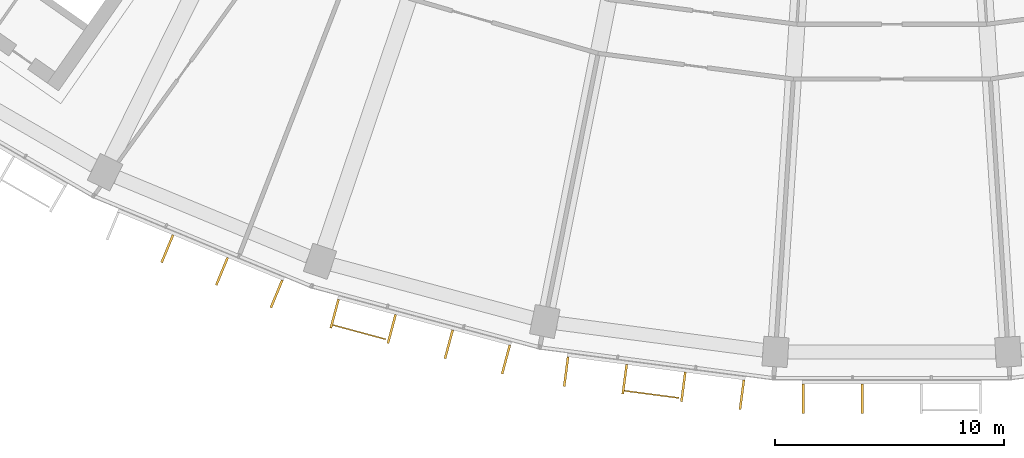
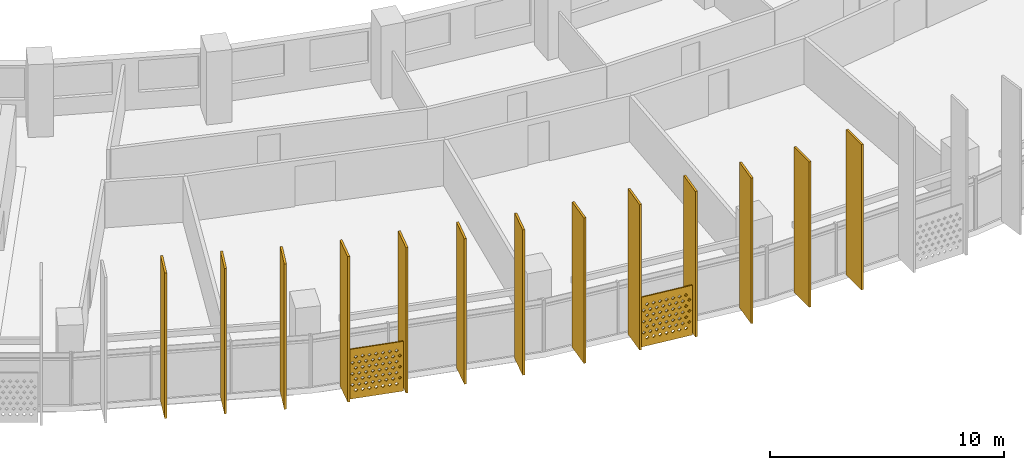
# One storey, part 23 of 27: 15 shading devices.
"""IFC4 building model written with IfcOpenShell, lengths in metres."""

from ifc_helpers import new_model, si_unit, direction, frame, origin, origin_2d, place, context, subcontext, project, spatial, polyline, rectangle, outline, extrude, material, material_profile, profile_set, type_object, element, save


model = new_model("IFC4")

# Units and contexts
model_context = context("Model", 3, precision=1e-05, world=origin(), true_north=direction((0.0, 1.0)))
body_context = subcontext(model_context, "Body", "Model", "MODEL_VIEW")
ifc_project = project(units=[si_unit("LENGTHUNIT", "METRE"), si_unit("AREAUNIT", "SQUARE_METRE"), si_unit("VOLUMEUNIT", "CUBIC_METRE"), si_unit("PLANEANGLEUNIT", "RADIAN"), si_unit("MASSUNIT", "GRAM", prefix="KILO")], contexts=[model_context])

# Site, building, storey
site_placement = place(None, origin())
site = spatial("IfcSite", under=ifc_project, at=site_placement, CompositionType="ELEMENT")
building_placement = place(site_placement, origin())
building = spatial("IfcBuilding", under=site, at=building_placement, Name="Qamariyya Broadcast Tower", CompositionType="ELEMENT")
storey_placement = place(building_placement, frame((0.0, 0.0, 164.5)))
storey = spatial("IfcBuildingStorey", under=building, at=storey_placement, Name="L38", CompositionType="ELEMENT", Elevation=164.5)

# Shading devices
ifc_material_1 = material(Name="Perforated glazed terracotta", Category="masonry")
ifc_material_profile_1 = material_profile(ifc_material_1, outline(polyline([(-1.199951171875, -1.300048828125), (1.199951171875, -1.300048828125), (1.199951171875, 1.300048828125), (-1.199951171875, 1.300048828125), (-1.199951171875, -1.300048828125)]), holes=[polyline([(-0.81494140625, -0.86669921875), (-0.89990234375, -0.78173828125), (-0.985107421875, -0.86669921875), (-0.89990234375, -0.95166015625), (-0.81494140625, -0.86669921875)]), polyline([(-0.514892578125, -0.86669921875), (-0.60009765625, -0.78173828125), (-0.68505859375, -0.86669921875), (-0.60009765625, -0.95166015625), (-0.514892578125, -0.86669921875)]), polyline([(-0.215087890625, -0.86669921875), (-0.300048828125, -0.78173828125), (-0.385009765625, -0.86669921875), (-0.300048828125, -0.95166015625), (-0.215087890625, -0.86669921875)]), polyline([(0.0849609375, -0.86669921875), (0.0, -0.78173828125), (-0.0849609375, -0.86669921875), (0.0, -0.95166015625), (0.0849609375, -0.86669921875)]), polyline([(0.385009765625, -0.86669921875), (0.300048828125, -0.78173828125), (0.215087890625, -0.86669921875), (0.300048828125, -0.95166015625), (0.385009765625, -0.86669921875)]), polyline([(0.68505859375, -0.86669921875), (0.60009765625, -0.78173828125), (0.514892578125, -0.86669921875), (0.60009765625, -0.95166015625), (0.68505859375, -0.86669921875)]), polyline([(0.985107421875, -0.86669921875), (0.89990234375, -0.78173828125), (0.81494140625, -0.86669921875), (0.89990234375, -0.95166015625), (0.985107421875, -0.86669921875)]), polyline([(-0.965087890625, -0.577880859375), (-1.050048828125, -0.49267578125), (-1.135009765625, -0.577880859375), (-1.050048828125, -0.662841796875), (-0.965087890625, -0.577880859375)]), polyline([(-0.6650390625, -0.577880859375), (-0.75, -0.49267578125), (-0.8349609375, -0.577880859375), (-0.75, -0.662841796875), (-0.6650390625, -0.577880859375)]), polyline([(-0.364990234375, -0.577880859375), (-0.449951171875, -0.49267578125), (-0.534912109375, -0.577880859375), (-0.449951171875, -0.662841796875), (-0.364990234375, -0.577880859375)]), polyline([(-0.06494140625, -0.577880859375), (-0.14990234375, -0.49267578125), (-0.235107421875, -0.577880859375), (-0.14990234375, -0.662841796875), (-0.06494140625, -0.577880859375)]), polyline([(0.235107421875, -0.577880859375), (0.14990234375, -0.49267578125), (0.06494140625, -0.577880859375), (0.14990234375, -0.662841796875), (0.235107421875, -0.577880859375)]), polyline([(0.534912109375, -0.577880859375), (0.449951171875, -0.49267578125), (0.364990234375, -0.577880859375), (0.449951171875, -0.662841796875), (0.534912109375, -0.577880859375)]), polyline([(0.8349609375, -0.577880859375), (0.75, -0.49267578125), (0.6650390625, -0.577880859375), (0.75, -0.662841796875), (0.8349609375, -0.577880859375)]), polyline([(1.135009765625, -0.577880859375), (1.050048828125, -0.49267578125), (0.965087890625, -0.577880859375), (1.050048828125, -0.662841796875), (1.135009765625, -0.577880859375)]), polyline([(-0.81494140625, -0.288818359375), (-0.89990234375, -0.203857421875), (-0.985107421875, -0.288818359375), (-0.89990234375, -0.373779296875), (-0.81494140625, -0.288818359375)]), polyline([(-0.514892578125, -0.288818359375), (-0.60009765625, -0.203857421875), (-0.68505859375, -0.288818359375), (-0.60009765625, -0.373779296875), (-0.514892578125, -0.288818359375)]), polyline([(-0.215087890625, -0.288818359375), (-0.300048828125, -0.203857421875), (-0.385009765625, -0.288818359375), (-0.300048828125, -0.373779296875), (-0.215087890625, -0.288818359375)]), polyline([(0.0849609375, -0.288818359375), (0.0, -0.203857421875), (-0.0849609375, -0.288818359375), (0.0, -0.373779296875), (0.0849609375, -0.288818359375)]), polyline([(0.385009765625, -0.288818359375), (0.300048828125, -0.203857421875), (0.215087890625, -0.288818359375), (0.300048828125, -0.373779296875), (0.385009765625, -0.288818359375)]), polyline([(0.68505859375, -0.288818359375), (0.60009765625, -0.203857421875), (0.514892578125, -0.288818359375), (0.60009765625, -0.373779296875), (0.68505859375, -0.288818359375)]), polyline([(0.985107421875, -0.288818359375), (0.89990234375, -0.203857421875), (0.81494140625, -0.288818359375), (0.89990234375, -0.373779296875), (0.985107421875, -0.288818359375)]), polyline([(-0.965087890625, 0.0), (-1.050048828125, 0.0849609375), (-1.135009765625, 0.0), (-1.050048828125, -0.0849609375), (-0.965087890625, 0.0)]), polyline([(-0.6650390625, 0.0), (-0.75, 0.0849609375), (-0.8349609375, 0.0), (-0.75, -0.0849609375), (-0.6650390625, 0.0)]), polyline([(-0.364990234375, 0.0), (-0.449951171875, 0.0849609375), (-0.534912109375, 0.0), (-0.449951171875, -0.0849609375), (-0.364990234375, 0.0)]), polyline([(-0.06494140625, 0.0), (-0.14990234375, 0.0849609375), (-0.235107421875, 0.0), (-0.14990234375, -0.0849609375), (-0.06494140625, 0.0)]), polyline([(0.235107421875, 0.0), (0.14990234375, 0.0849609375), (0.06494140625, 0.0), (0.14990234375, -0.0849609375), (0.235107421875, 0.0)]), polyline([(0.534912109375, 0.0), (0.449951171875, 0.0849609375), (0.364990234375, 0.0), (0.449951171875, -0.0849609375), (0.534912109375, 0.0)]), polyline([(0.8349609375, 0.0), (0.75, 0.0849609375), (0.6650390625, 0.0), (0.75, -0.0849609375), (0.8349609375, 0.0)]), polyline([(1.135009765625, 0.0), (1.050048828125, 0.0849609375), (0.965087890625, 0.0), (1.050048828125, -0.0849609375), (1.135009765625, 0.0)]), polyline([(-0.81494140625, 0.288818359375), (-0.89990234375, 0.373779296875), (-0.985107421875, 0.288818359375), (-0.89990234375, 0.203857421875), (-0.81494140625, 0.288818359375)]), polyline([(-0.514892578125, 0.288818359375), (-0.60009765625, 0.373779296875), (-0.68505859375, 0.288818359375), (-0.60009765625, 0.203857421875), (-0.514892578125, 0.288818359375)]), polyline([(-0.215087890625, 0.288818359375), (-0.300048828125, 0.373779296875), (-0.385009765625, 0.288818359375), (-0.300048828125, 0.203857421875), (-0.215087890625, 0.288818359375)]), polyline([(0.0849609375, 0.288818359375), (0.0, 0.373779296875), (-0.0849609375, 0.288818359375), (0.0, 0.203857421875), (0.0849609375, 0.288818359375)]), polyline([(0.385009765625, 0.288818359375), (0.300048828125, 0.373779296875), (0.215087890625, 0.288818359375), (0.300048828125, 0.203857421875), (0.385009765625, 0.288818359375)]), polyline([(0.68505859375, 0.288818359375), (0.60009765625, 0.373779296875), (0.514892578125, 0.288818359375), (0.60009765625, 0.203857421875), (0.68505859375, 0.288818359375)]), polyline([(0.985107421875, 0.288818359375), (0.89990234375, 0.373779296875), (0.81494140625, 0.288818359375), (0.89990234375, 0.203857421875), (0.985107421875, 0.288818359375)]), polyline([(-0.965087890625, 0.577880859375), (-1.050048828125, 0.662841796875), (-1.135009765625, 0.577880859375), (-1.050048828125, 0.49267578125), (-0.965087890625, 0.577880859375)]), polyline([(-0.6650390625, 0.577880859375), (-0.75, 0.662841796875), (-0.8349609375, 0.577880859375), (-0.75, 0.49267578125), (-0.6650390625, 0.577880859375)]), polyline([(-0.364990234375, 0.577880859375), (-0.449951171875, 0.662841796875), (-0.534912109375, 0.577880859375), (-0.449951171875, 0.49267578125), (-0.364990234375, 0.577880859375)]), polyline([(-0.06494140625, 0.577880859375), (-0.14990234375, 0.662841796875), (-0.235107421875, 0.577880859375), (-0.14990234375, 0.49267578125), (-0.06494140625, 0.577880859375)]), polyline([(0.235107421875, 0.577880859375), (0.14990234375, 0.662841796875), (0.06494140625, 0.577880859375), (0.14990234375, 0.49267578125), (0.235107421875, 0.577880859375)]), polyline([(0.534912109375, 0.577880859375), (0.449951171875, 0.662841796875), (0.364990234375, 0.577880859375), (0.449951171875, 0.49267578125), (0.534912109375, 0.577880859375)]), polyline([(0.8349609375, 0.577880859375), (0.75, 0.662841796875), (0.6650390625, 0.577880859375), (0.75, 0.49267578125), (0.8349609375, 0.577880859375)]), polyline([(1.135009765625, 0.577880859375), (1.050048828125, 0.662841796875), (0.965087890625, 0.577880859375), (1.050048828125, 0.49267578125), (1.135009765625, 0.577880859375)]), polyline([(-0.81494140625, 0.86669921875), (-0.89990234375, 0.95166015625), (-0.985107421875, 0.86669921875), (-0.89990234375, 0.78173828125), (-0.81494140625, 0.86669921875)]), polyline([(-0.514892578125, 0.86669921875), (-0.60009765625, 0.95166015625), (-0.68505859375, 0.86669921875), (-0.60009765625, 0.78173828125), (-0.514892578125, 0.86669921875)]), polyline([(-0.215087890625, 0.86669921875), (-0.300048828125, 0.95166015625), (-0.385009765625, 0.86669921875), (-0.300048828125, 0.78173828125), (-0.215087890625, 0.86669921875)]), polyline([(0.0849609375, 0.86669921875), (0.0, 0.95166015625), (-0.0849609375, 0.86669921875), (0.0, 0.78173828125), (0.0849609375, 0.86669921875)]), polyline([(0.385009765625, 0.86669921875), (0.300048828125, 0.95166015625), (0.215087890625, 0.86669921875), (0.300048828125, 0.78173828125), (0.385009765625, 0.86669921875)]), polyline([(0.68505859375, 0.86669921875), (0.60009765625, 0.95166015625), (0.514892578125, 0.86669921875), (0.60009765625, 0.78173828125), (0.68505859375, 0.86669921875)]), polyline([(0.985107421875, 0.86669921875), (0.89990234375, 0.95166015625), (0.81494140625, 0.86669921875), (0.89990234375, 0.78173828125), (0.985107421875, 0.86669921875)])]))
ifc_profile_set_1 = profile_set([ifc_material_profile_1], Name="Perforated glazed terracotta")
shading_device_type_1 = type_object("IfcShadingDeviceType", Name="Perforated terracotta screen 2400 x 2600", PredefinedType="USERDEFINED", material=ifc_profile_set_1)
shading_device_1_placement = place(storey_placement, frame((-23.267333984375, -76.692138671875, 1.35009765625), z_axis=(-0.260703819255, -0.965418830677, 0.0), x_axis=(0.965418830677, -0.260703819255, 0.0)))
element("IfcShadingDevice", 1, at=shading_device_1_placement, inside=storey, type_object=shading_device_type_1, Name="e-scr-L38-05-0", ObjectType="SCREEN", PredefinedType="USERDEFINED", context=body_context, shape_type="SweptSolid", body=[
    extrude(outline(polyline([(-1.199951171875, -1.300048828125), (1.199951171875, -1.300048828125), (1.199951171875, 1.300048828125), (-1.199951171875, 1.300048828125), (-1.199951171875, -1.300048828125)]), holes=[polyline([(-0.81494140625, -0.86669921875), (-0.89990234375, -0.78173828125), (-0.985107421875, -0.86669921875), (-0.89990234375, -0.95166015625), (-0.81494140625, -0.86669921875)]), polyline([(-0.514892578125, -0.86669921875), (-0.60009765625, -0.78173828125), (-0.68505859375, -0.86669921875), (-0.60009765625, -0.95166015625), (-0.514892578125, -0.86669921875)]), polyline([(-0.215087890625, -0.86669921875), (-0.300048828125, -0.78173828125), (-0.385009765625, -0.86669921875), (-0.300048828125, -0.95166015625), (-0.215087890625, -0.86669921875)]), polyline([(0.0849609375, -0.86669921875), (0.0, -0.78173828125), (-0.0849609375, -0.86669921875), (0.0, -0.95166015625), (0.0849609375, -0.86669921875)]), polyline([(0.385009765625, -0.86669921875), (0.300048828125, -0.78173828125), (0.215087890625, -0.86669921875), (0.300048828125, -0.95166015625), (0.385009765625, -0.86669921875)]), polyline([(0.68505859375, -0.86669921875), (0.60009765625, -0.78173828125), (0.514892578125, -0.86669921875), (0.60009765625, -0.95166015625), (0.68505859375, -0.86669921875)]), polyline([(0.985107421875, -0.86669921875), (0.89990234375, -0.78173828125), (0.81494140625, -0.86669921875), (0.89990234375, -0.95166015625), (0.985107421875, -0.86669921875)]), polyline([(-0.965087890625, -0.577880859375), (-1.050048828125, -0.49267578125), (-1.135009765625, -0.577880859375), (-1.050048828125, -0.662841796875), (-0.965087890625, -0.577880859375)]), polyline([(-0.6650390625, -0.577880859375), (-0.75, -0.49267578125), (-0.8349609375, -0.577880859375), (-0.75, -0.662841796875), (-0.6650390625, -0.577880859375)]), polyline([(-0.364990234375, -0.577880859375), (-0.449951171875, -0.49267578125), (-0.534912109375, -0.577880859375), (-0.449951171875, -0.662841796875), (-0.364990234375, -0.577880859375)]), polyline([(-0.06494140625, -0.577880859375), (-0.14990234375, -0.49267578125), (-0.235107421875, -0.577880859375), (-0.14990234375, -0.662841796875), (-0.06494140625, -0.577880859375)]), polyline([(0.235107421875, -0.577880859375), (0.14990234375, -0.49267578125), (0.06494140625, -0.577880859375), (0.14990234375, -0.662841796875), (0.235107421875, -0.577880859375)]), polyline([(0.534912109375, -0.577880859375), (0.449951171875, -0.49267578125), (0.364990234375, -0.577880859375), (0.449951171875, -0.662841796875), (0.534912109375, -0.577880859375)]), polyline([(0.8349609375, -0.577880859375), (0.75, -0.49267578125), (0.6650390625, -0.577880859375), (0.75, -0.662841796875), (0.8349609375, -0.577880859375)]), polyline([(1.135009765625, -0.577880859375), (1.050048828125, -0.49267578125), (0.965087890625, -0.577880859375), (1.050048828125, -0.662841796875), (1.135009765625, -0.577880859375)]), polyline([(-0.81494140625, -0.288818359375), (-0.89990234375, -0.203857421875), (-0.985107421875, -0.288818359375), (-0.89990234375, -0.373779296875), (-0.81494140625, -0.288818359375)]), polyline([(-0.514892578125, -0.288818359375), (-0.60009765625, -0.203857421875), (-0.68505859375, -0.288818359375), (-0.60009765625, -0.373779296875), (-0.514892578125, -0.288818359375)]), polyline([(-0.215087890625, -0.288818359375), (-0.300048828125, -0.203857421875), (-0.385009765625, -0.288818359375), (-0.300048828125, -0.373779296875), (-0.215087890625, -0.288818359375)]), polyline([(0.0849609375, -0.288818359375), (0.0, -0.203857421875), (-0.0849609375, -0.288818359375), (0.0, -0.373779296875), (0.0849609375, -0.288818359375)]), polyline([(0.385009765625, -0.288818359375), (0.300048828125, -0.203857421875), (0.215087890625, -0.288818359375), (0.300048828125, -0.373779296875), (0.385009765625, -0.288818359375)]), polyline([(0.68505859375, -0.288818359375), (0.60009765625, -0.203857421875), (0.514892578125, -0.288818359375), (0.60009765625, -0.373779296875), (0.68505859375, -0.288818359375)]), polyline([(0.985107421875, -0.288818359375), (0.89990234375, -0.203857421875), (0.81494140625, -0.288818359375), (0.89990234375, -0.373779296875), (0.985107421875, -0.288818359375)]), polyline([(-0.965087890625, 0.0), (-1.050048828125, 0.0849609375), (-1.135009765625, 0.0), (-1.050048828125, -0.0849609375), (-0.965087890625, 0.0)]), polyline([(-0.6650390625, 0.0), (-0.75, 0.0849609375), (-0.8349609375, 0.0), (-0.75, -0.0849609375), (-0.6650390625, 0.0)]), polyline([(-0.364990234375, 0.0), (-0.449951171875, 0.0849609375), (-0.534912109375, 0.0), (-0.449951171875, -0.0849609375), (-0.364990234375, 0.0)]), polyline([(-0.06494140625, 0.0), (-0.14990234375, 0.0849609375), (-0.235107421875, 0.0), (-0.14990234375, -0.0849609375), (-0.06494140625, 0.0)]), polyline([(0.235107421875, 0.0), (0.14990234375, 0.0849609375), (0.06494140625, 0.0), (0.14990234375, -0.0849609375), (0.235107421875, 0.0)]), polyline([(0.534912109375, 0.0), (0.449951171875, 0.0849609375), (0.364990234375, 0.0), (0.449951171875, -0.0849609375), (0.534912109375, 0.0)]), polyline([(0.8349609375, 0.0), (0.75, 0.0849609375), (0.6650390625, 0.0), (0.75, -0.0849609375), (0.8349609375, 0.0)]), polyline([(1.135009765625, 0.0), (1.050048828125, 0.0849609375), (0.965087890625, 0.0), (1.050048828125, -0.0849609375), (1.135009765625, 0.0)]), polyline([(-0.81494140625, 0.288818359375), (-0.89990234375, 0.373779296875), (-0.985107421875, 0.288818359375), (-0.89990234375, 0.203857421875), (-0.81494140625, 0.288818359375)]), polyline([(-0.514892578125, 0.288818359375), (-0.60009765625, 0.373779296875), (-0.68505859375, 0.288818359375), (-0.60009765625, 0.203857421875), (-0.514892578125, 0.288818359375)]), polyline([(-0.215087890625, 0.288818359375), (-0.300048828125, 0.373779296875), (-0.385009765625, 0.288818359375), (-0.300048828125, 0.203857421875), (-0.215087890625, 0.288818359375)]), polyline([(0.0849609375, 0.288818359375), (0.0, 0.373779296875), (-0.0849609375, 0.288818359375), (0.0, 0.203857421875), (0.0849609375, 0.288818359375)]), polyline([(0.385009765625, 0.288818359375), (0.300048828125, 0.373779296875), (0.215087890625, 0.288818359375), (0.300048828125, 0.203857421875), (0.385009765625, 0.288818359375)]), polyline([(0.68505859375, 0.288818359375), (0.60009765625, 0.373779296875), (0.514892578125, 0.288818359375), (0.60009765625, 0.203857421875), (0.68505859375, 0.288818359375)]), polyline([(0.985107421875, 0.288818359375), (0.89990234375, 0.373779296875), (0.81494140625, 0.288818359375), (0.89990234375, 0.203857421875), (0.985107421875, 0.288818359375)]), polyline([(-0.965087890625, 0.577880859375), (-1.050048828125, 0.662841796875), (-1.135009765625, 0.577880859375), (-1.050048828125, 0.49267578125), (-0.965087890625, 0.577880859375)]), polyline([(-0.6650390625, 0.577880859375), (-0.75, 0.662841796875), (-0.8349609375, 0.577880859375), (-0.75, 0.49267578125), (-0.6650390625, 0.577880859375)]), polyline([(-0.364990234375, 0.577880859375), (-0.449951171875, 0.662841796875), (-0.534912109375, 0.577880859375), (-0.449951171875, 0.49267578125), (-0.364990234375, 0.577880859375)]), polyline([(-0.06494140625, 0.577880859375), (-0.14990234375, 0.662841796875), (-0.235107421875, 0.577880859375), (-0.14990234375, 0.49267578125), (-0.06494140625, 0.577880859375)]), polyline([(0.235107421875, 0.577880859375), (0.14990234375, 0.662841796875), (0.06494140625, 0.577880859375), (0.14990234375, 0.49267578125), (0.235107421875, 0.577880859375)]), polyline([(0.534912109375, 0.577880859375), (0.449951171875, 0.662841796875), (0.364990234375, 0.577880859375), (0.449951171875, 0.49267578125), (0.534912109375, 0.577880859375)]), polyline([(0.8349609375, 0.577880859375), (0.75, 0.662841796875), (0.6650390625, 0.577880859375), (0.75, 0.49267578125), (0.8349609375, 0.577880859375)]), polyline([(1.135009765625, 0.577880859375), (1.050048828125, 0.662841796875), (0.965087890625, 0.577880859375), (1.050048828125, 0.49267578125), (1.135009765625, 0.577880859375)]), polyline([(-0.81494140625, 0.86669921875), (-0.89990234375, 0.95166015625), (-0.985107421875, 0.86669921875), (-0.89990234375, 0.78173828125), (-0.81494140625, 0.86669921875)]), polyline([(-0.514892578125, 0.86669921875), (-0.60009765625, 0.95166015625), (-0.68505859375, 0.86669921875), (-0.60009765625, 0.78173828125), (-0.514892578125, 0.86669921875)]), polyline([(-0.215087890625, 0.86669921875), (-0.300048828125, 0.95166015625), (-0.385009765625, 0.86669921875), (-0.300048828125, 0.78173828125), (-0.215087890625, 0.86669921875)]), polyline([(0.0849609375, 0.86669921875), (0.0, 0.95166015625), (-0.0849609375, 0.86669921875), (0.0, 0.78173828125), (0.0849609375, 0.86669921875)]), polyline([(0.385009765625, 0.86669921875), (0.300048828125, 0.95166015625), (0.215087890625, 0.86669921875), (0.300048828125, 0.78173828125), (0.385009765625, 0.86669921875)]), polyline([(0.68505859375, 0.86669921875), (0.60009765625, 0.95166015625), (0.514892578125, 0.86669921875), (0.60009765625, 0.78173828125), (0.68505859375, 0.86669921875)]), polyline([(0.985107421875, 0.86669921875), (0.89990234375, 0.95166015625), (0.81494140625, 0.86669921875), (0.89990234375, 0.78173828125), (0.985107421875, 0.86669921875)])]), origin(), (0.0, 0.0, 1.0), 0.059814453125),
])
shading_device_2_placement = place(storey_placement, frame((-10.49658203125, -79.41015625, 1.35009765625), z_axis=(-0.1300340368, -0.991509530601, 0.0), x_axis=(0.991509530601, -0.1300340368, 0.0)))
element("IfcShadingDevice", 2, at=shading_device_2_placement, inside=storey, type_object=shading_device_type_1, Name="e-scr-L38-06-1", ObjectType="SCREEN", PredefinedType="USERDEFINED", context=body_context, shape_type="SweptSolid", body=[
    extrude(outline(polyline([(-1.199951171875, -1.300048828125), (1.199951171875, -1.300048828125), (1.199951171875, 1.300048828125), (-1.199951171875, 1.300048828125), (-1.199951171875, -1.300048828125)]), holes=[polyline([(-0.81494140625, -0.86669921875), (-0.89990234375, -0.78173828125), (-0.985107421875, -0.86669921875), (-0.89990234375, -0.95166015625), (-0.81494140625, -0.86669921875)]), polyline([(-0.514892578125, -0.86669921875), (-0.60009765625, -0.78173828125), (-0.68505859375, -0.86669921875), (-0.60009765625, -0.95166015625), (-0.514892578125, -0.86669921875)]), polyline([(-0.215087890625, -0.86669921875), (-0.300048828125, -0.78173828125), (-0.385009765625, -0.86669921875), (-0.300048828125, -0.95166015625), (-0.215087890625, -0.86669921875)]), polyline([(0.0849609375, -0.86669921875), (0.0, -0.78173828125), (-0.0849609375, -0.86669921875), (0.0, -0.95166015625), (0.0849609375, -0.86669921875)]), polyline([(0.385009765625, -0.86669921875), (0.300048828125, -0.78173828125), (0.215087890625, -0.86669921875), (0.300048828125, -0.95166015625), (0.385009765625, -0.86669921875)]), polyline([(0.68505859375, -0.86669921875), (0.60009765625, -0.78173828125), (0.514892578125, -0.86669921875), (0.60009765625, -0.95166015625), (0.68505859375, -0.86669921875)]), polyline([(0.985107421875, -0.86669921875), (0.89990234375, -0.78173828125), (0.81494140625, -0.86669921875), (0.89990234375, -0.95166015625), (0.985107421875, -0.86669921875)]), polyline([(-0.965087890625, -0.577880859375), (-1.050048828125, -0.49267578125), (-1.135009765625, -0.577880859375), (-1.050048828125, -0.662841796875), (-0.965087890625, -0.577880859375)]), polyline([(-0.6650390625, -0.577880859375), (-0.75, -0.49267578125), (-0.8349609375, -0.577880859375), (-0.75, -0.662841796875), (-0.6650390625, -0.577880859375)]), polyline([(-0.364990234375, -0.577880859375), (-0.449951171875, -0.49267578125), (-0.534912109375, -0.577880859375), (-0.449951171875, -0.662841796875), (-0.364990234375, -0.577880859375)]), polyline([(-0.06494140625, -0.577880859375), (-0.14990234375, -0.49267578125), (-0.235107421875, -0.577880859375), (-0.14990234375, -0.662841796875), (-0.06494140625, -0.577880859375)]), polyline([(0.235107421875, -0.577880859375), (0.14990234375, -0.49267578125), (0.06494140625, -0.577880859375), (0.14990234375, -0.662841796875), (0.235107421875, -0.577880859375)]), polyline([(0.534912109375, -0.577880859375), (0.449951171875, -0.49267578125), (0.364990234375, -0.577880859375), (0.449951171875, -0.662841796875), (0.534912109375, -0.577880859375)]), polyline([(0.8349609375, -0.577880859375), (0.75, -0.49267578125), (0.6650390625, -0.577880859375), (0.75, -0.662841796875), (0.8349609375, -0.577880859375)]), polyline([(1.135009765625, -0.577880859375), (1.050048828125, -0.49267578125), (0.965087890625, -0.577880859375), (1.050048828125, -0.662841796875), (1.135009765625, -0.577880859375)]), polyline([(-0.81494140625, -0.288818359375), (-0.89990234375, -0.203857421875), (-0.985107421875, -0.288818359375), (-0.89990234375, -0.373779296875), (-0.81494140625, -0.288818359375)]), polyline([(-0.514892578125, -0.288818359375), (-0.60009765625, -0.203857421875), (-0.68505859375, -0.288818359375), (-0.60009765625, -0.373779296875), (-0.514892578125, -0.288818359375)]), polyline([(-0.215087890625, -0.288818359375), (-0.300048828125, -0.203857421875), (-0.385009765625, -0.288818359375), (-0.300048828125, -0.373779296875), (-0.215087890625, -0.288818359375)]), polyline([(0.0849609375, -0.288818359375), (0.0, -0.203857421875), (-0.0849609375, -0.288818359375), (0.0, -0.373779296875), (0.0849609375, -0.288818359375)]), polyline([(0.385009765625, -0.288818359375), (0.300048828125, -0.203857421875), (0.215087890625, -0.288818359375), (0.300048828125, -0.373779296875), (0.385009765625, -0.288818359375)]), polyline([(0.68505859375, -0.288818359375), (0.60009765625, -0.203857421875), (0.514892578125, -0.288818359375), (0.60009765625, -0.373779296875), (0.68505859375, -0.288818359375)]), polyline([(0.985107421875, -0.288818359375), (0.89990234375, -0.203857421875), (0.81494140625, -0.288818359375), (0.89990234375, -0.373779296875), (0.985107421875, -0.288818359375)]), polyline([(-0.965087890625, 0.0), (-1.050048828125, 0.0849609375), (-1.135009765625, 0.0), (-1.050048828125, -0.0849609375), (-0.965087890625, 0.0)]), polyline([(-0.6650390625, 0.0), (-0.75, 0.0849609375), (-0.8349609375, 0.0), (-0.75, -0.0849609375), (-0.6650390625, 0.0)]), polyline([(-0.364990234375, 0.0), (-0.449951171875, 0.0849609375), (-0.534912109375, 0.0), (-0.449951171875, -0.0849609375), (-0.364990234375, 0.0)]), polyline([(-0.06494140625, 0.0), (-0.14990234375, 0.0849609375), (-0.235107421875, 0.0), (-0.14990234375, -0.0849609375), (-0.06494140625, 0.0)]), polyline([(0.235107421875, 0.0), (0.14990234375, 0.0849609375), (0.06494140625, 0.0), (0.14990234375, -0.0849609375), (0.235107421875, 0.0)]), polyline([(0.534912109375, 0.0), (0.449951171875, 0.0849609375), (0.364990234375, 0.0), (0.449951171875, -0.0849609375), (0.534912109375, 0.0)]), polyline([(0.8349609375, 0.0), (0.75, 0.0849609375), (0.6650390625, 0.0), (0.75, -0.0849609375), (0.8349609375, 0.0)]), polyline([(1.135009765625, 0.0), (1.050048828125, 0.0849609375), (0.965087890625, 0.0), (1.050048828125, -0.0849609375), (1.135009765625, 0.0)]), polyline([(-0.81494140625, 0.288818359375), (-0.89990234375, 0.373779296875), (-0.985107421875, 0.288818359375), (-0.89990234375, 0.203857421875), (-0.81494140625, 0.288818359375)]), polyline([(-0.514892578125, 0.288818359375), (-0.60009765625, 0.373779296875), (-0.68505859375, 0.288818359375), (-0.60009765625, 0.203857421875), (-0.514892578125, 0.288818359375)]), polyline([(-0.215087890625, 0.288818359375), (-0.300048828125, 0.373779296875), (-0.385009765625, 0.288818359375), (-0.300048828125, 0.203857421875), (-0.215087890625, 0.288818359375)]), polyline([(0.0849609375, 0.288818359375), (0.0, 0.373779296875), (-0.0849609375, 0.288818359375), (0.0, 0.203857421875), (0.0849609375, 0.288818359375)]), polyline([(0.385009765625, 0.288818359375), (0.300048828125, 0.373779296875), (0.215087890625, 0.288818359375), (0.300048828125, 0.203857421875), (0.385009765625, 0.288818359375)]), polyline([(0.68505859375, 0.288818359375), (0.60009765625, 0.373779296875), (0.514892578125, 0.288818359375), (0.60009765625, 0.203857421875), (0.68505859375, 0.288818359375)]), polyline([(0.985107421875, 0.288818359375), (0.89990234375, 0.373779296875), (0.81494140625, 0.288818359375), (0.89990234375, 0.203857421875), (0.985107421875, 0.288818359375)]), polyline([(-0.965087890625, 0.577880859375), (-1.050048828125, 0.662841796875), (-1.135009765625, 0.577880859375), (-1.050048828125, 0.49267578125), (-0.965087890625, 0.577880859375)]), polyline([(-0.6650390625, 0.577880859375), (-0.75, 0.662841796875), (-0.8349609375, 0.577880859375), (-0.75, 0.49267578125), (-0.6650390625, 0.577880859375)]), polyline([(-0.364990234375, 0.577880859375), (-0.449951171875, 0.662841796875), (-0.534912109375, 0.577880859375), (-0.449951171875, 0.49267578125), (-0.364990234375, 0.577880859375)]), polyline([(-0.06494140625, 0.577880859375), (-0.14990234375, 0.662841796875), (-0.235107421875, 0.577880859375), (-0.14990234375, 0.49267578125), (-0.06494140625, 0.577880859375)]), polyline([(0.235107421875, 0.577880859375), (0.14990234375, 0.662841796875), (0.06494140625, 0.577880859375), (0.14990234375, 0.49267578125), (0.235107421875, 0.577880859375)]), polyline([(0.534912109375, 0.577880859375), (0.449951171875, 0.662841796875), (0.364990234375, 0.577880859375), (0.449951171875, 0.49267578125), (0.534912109375, 0.577880859375)]), polyline([(0.8349609375, 0.577880859375), (0.75, 0.662841796875), (0.6650390625, 0.577880859375), (0.75, 0.49267578125), (0.8349609375, 0.577880859375)]), polyline([(1.135009765625, 0.577880859375), (1.050048828125, 0.662841796875), (0.965087890625, 0.577880859375), (1.050048828125, 0.49267578125), (1.135009765625, 0.577880859375)]), polyline([(-0.81494140625, 0.86669921875), (-0.89990234375, 0.95166015625), (-0.985107421875, 0.86669921875), (-0.89990234375, 0.78173828125), (-0.81494140625, 0.86669921875)]), polyline([(-0.514892578125, 0.86669921875), (-0.60009765625, 0.95166015625), (-0.68505859375, 0.86669921875), (-0.60009765625, 0.78173828125), (-0.514892578125, 0.86669921875)]), polyline([(-0.215087890625, 0.86669921875), (-0.300048828125, 0.95166015625), (-0.385009765625, 0.86669921875), (-0.300048828125, 0.78173828125), (-0.215087890625, 0.86669921875)]), polyline([(0.0849609375, 0.86669921875), (0.0, 0.95166015625), (-0.0849609375, 0.86669921875), (0.0, 0.78173828125), (0.0849609375, 0.86669921875)]), polyline([(0.385009765625, 0.86669921875), (0.300048828125, 0.95166015625), (0.215087890625, 0.86669921875), (0.300048828125, 0.78173828125), (0.385009765625, 0.86669921875)]), polyline([(0.68505859375, 0.86669921875), (0.60009765625, 0.95166015625), (0.514892578125, 0.86669921875), (0.60009765625, 0.78173828125), (0.68505859375, 0.86669921875)]), polyline([(0.985107421875, 0.86669921875), (0.89990234375, 0.95166015625), (0.81494140625, 0.86669921875), (0.89990234375, 0.78173828125), (0.985107421875, 0.86669921875)])]), origin(), (0.0, 0.0, 1.0), 0.06005859375),
])
ifc_material_2 = material(Name="Glazed terracotta", Category="masonry")
ifc_material_profile_2 = material_profile(ifc_material_2, rectangle(XDim=1.300048828125, YDim=0.10009765625, at=origin_2d()))
ifc_profile_set_2 = profile_set([ifc_material_profile_2], Name="Glazed terracotta")
shading_device_type_2 = type_object("IfcShadingDeviceType", Name="Terracotta fin 100 x 1300", PredefinedType="USERDEFINED", material=ifc_profile_set_2)
for number, where, z_axis, x_axis, name in (
    (3, (-31.666748046875, -73.074951171875, 0.0), (0.0, 0.0, 1.0), (-0.382683432365, -0.923879532511, 0.0), "e-fin-L38-04-1"),
    (4, (-29.280029296875, -74.063720703125, 0.0), (0.0, 0.0, 1.0), (-0.382683432365, -0.923879532511, 0.0), "e-fin-L38-04-2"),
    (5, (-26.893310546875, -75.05224609375, 0.0), (0.0, 0.0, 1.0), (-0.382683432365, -0.923879532511, 0.0), "e-fin-L38-04-3"),
    (6, (-24.35302734375, -75.91455078125, 0.0), (0.0, 0.0, 1.0), (-0.258819045103, -0.965925826289, 0.0), "e-fin-L38-05-0"),
    (7, (-21.857666015625, -76.583251953125, 0.0), (0.0, 0.0, 1.0), (-0.258819045103, -0.965925826289, 0.0), "e-fin-L38-05-1"),
    (8, (-19.3623046875, -77.251708984375, 0.0), (0.0, 0.0, 1.0), (-0.258819045103, -0.965925826289, 0.0), "e-fin-L38-05-2"),
    (9, (-16.866943359375, -77.92041015625, 0.0), (0.0, 0.0, 1.0), (-0.258819045103, -0.965925826289, 0.0), "e-fin-L38-05-3"),
    (10, (-14.23583984375, -78.44384765625, 0.0), (0.0, 0.0, 1.0), (-0.13052619222, -0.991444861374, 0.0), "e-fin-L38-06-0"),
    (11, (-11.674560546875, -78.781005859375, 0.0), (0.0, 0.0, 1.0), (-0.13052619222, -0.991444861374, 0.0), "e-fin-L38-06-1"),
    (12, (-9.11328125, -79.1181640625, 0.0), (0.0, 0.0, 1.0), (-0.13052619222, -0.991444861374, 0.0), "e-fin-L38-06-2"),
    (13, (-6.552001953125, -79.455322265625, 0.0), (0.0, 0.0, 1.0), (-0.13052619222, -0.991444861374, 0.0), "e-fin-L38-06-3"),
    (14, (-3.875244140625, -79.630859375, 0.0), (0.0, 0.0, 1.0), (0.0, -1.0, 0.0), "e-fin-L38-07-0"),
    (15, (-1.291748046875, -79.630859375, 0.0), (0.0, 0.0, 1.0), (0.0, -1.0, 0.0), "e-fin-L38-07-1"),
):
    element("IfcShadingDevice", number, at=place(storey_placement, frame(where, z_axis=z_axis, x_axis=x_axis)), inside=storey, type_object=shading_device_type_2, Name=name, ObjectType="FIN", PredefinedType="USERDEFINED", context=body_context, shape_type="SweptSolid", body=[
        extrude(rectangle(XDim=1.300048828125, YDim=0.10009765625, at=origin_2d()), origin(), (0.0, 0.0, 1.0), 7.60009765625),
    ])

save(model, "model.ifc")
